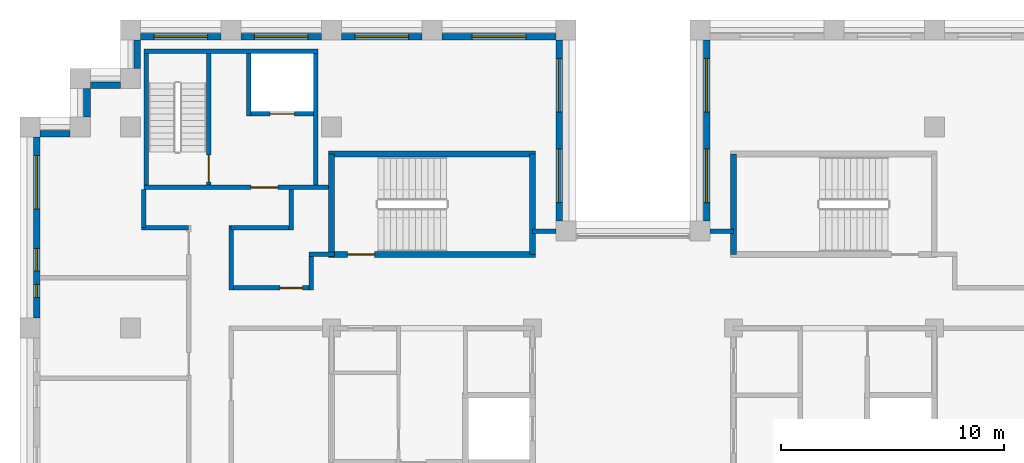
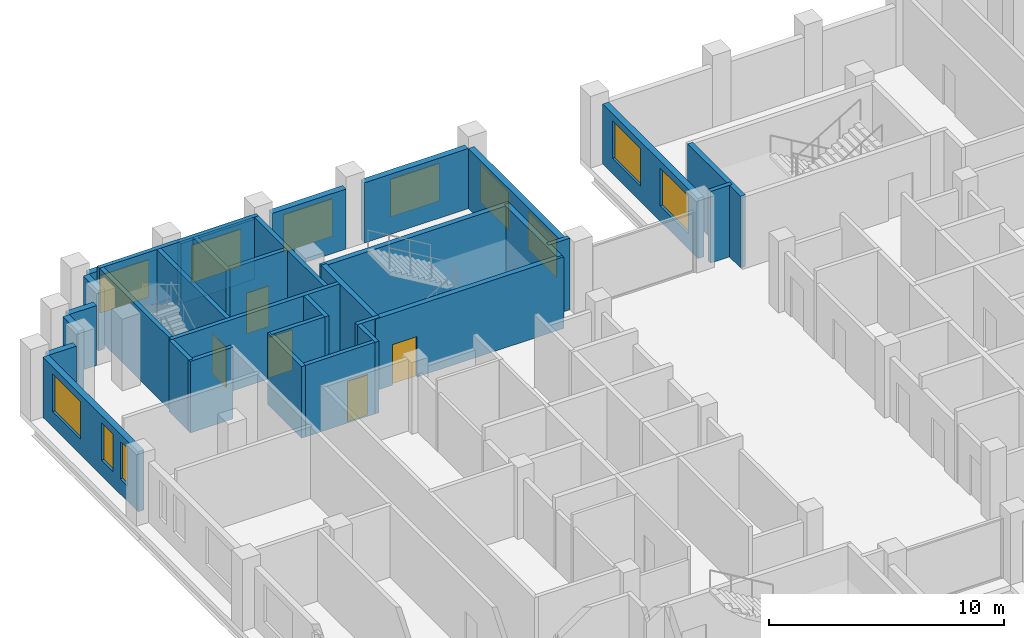
# One storey, part 10 of 13: 33 walls, 11 windows, 5 doors, 16 openings.
"""IFC4 building model written with IfcOpenShell, lengths in metres."""

from ifc_helpers import new_model, si_unit, direction, frame, frame_2d, origin, place, context, subcontext, project, spatial, rectangle, extrude, material, layer, layer_set, type_object, element, fill, save


model = new_model("IFC4")

# Units and contexts
model_context = context("Model", 3, precision=1e-05, world=origin(), true_north=direction((0.0, 1.0)))
body_context = subcontext(model_context, "Body", "Model", "MODEL_VIEW")
ifc_project = project(units=[si_unit("LENGTHUNIT", "METRE"), si_unit("AREAUNIT", "SQUARE_METRE"), si_unit("VOLUMEUNIT", "CUBIC_METRE"), si_unit("PLANEANGLEUNIT", "RADIAN"), si_unit("MASSUNIT", "GRAM", prefix="KILO")], contexts=[model_context])

# Site, building, storey
site_placement = place(None, origin())
site = spatial("IfcSite", under=ifc_project, at=site_placement, CompositionType="ELEMENT")
building_placement = place(site_placement, origin())
building = spatial("IfcBuilding", under=site, at=building_placement, Name="Corbelhall Arena Tower", CompositionType="ELEMENT")
storey_placement = place(building_placement, frame((0.0, 0.0, 270.0)))
storey = spatial("IfcBuildingStorey", under=building, at=storey_placement, Name="L58", CompositionType="ELEMENT", Elevation=270.0)

# Walls
ifc_material_1 = material(Name="Precast concrete C40/50 with granite facing", Category="masonry")
ifc_layer_1 = layer(ifc_material_1, 0.300048828125)
ifc_layer_set_1 = layer_set([ifc_layer_1], Name="EV-IW1 Infill panel 300")
wall_type_1 = type_object("IfcWallType", Name="EV-IW1 Infill panel 300", PredefinedType="SOLIDWALL", material=ifc_layer_set_1)
wall_1_placement = place(storey_placement, frame((-24.449951171875, 19.72509765625, 0.0), z_axis=(0.0, 0.0, 1.0), x_axis=(0.0, -1.0, 0.0)))
element("IfcWall", 1, at=wall_1_placement, inside=storey, type_object=wall_type_1, Name="Infill panel IW1", PredefinedType="SOLIDWALL", context=body_context, shape_type="SweptSolid", body=[
    extrude(rectangle(XDim=1.275146484375, YDim=0.300048828125, at=frame_2d((0.6376953125, 0.0))), origin(), (0.0, 0.0, 1.0), 3.1201171875),
])
wall_2_placement = place(storey_placement, frame((-25.199951171875, 17.699951171875, 0.0), z_axis=(0.0, 0.0, 1.0), x_axis=(-1.0, 0.0, 0.0)))
element("IfcWall", 2, at=wall_2_placement, inside=storey, type_object=wall_type_1, Name="Infill panel IW1", PredefinedType="SOLIDWALL", context=body_context, shape_type="SweptSolid", body=[
    extrude(rectangle(XDim=1.35009765625, YDim=0.300048828125, at=frame_2d((0.675048828125, 0.0))), origin(), (0.0, 0.0, 1.0), 3.1201171875),
])

# Wall, openings, windows
wall_3_placement = place(storey_placement, frame((-26.699951171875, 17.550048828125, 0.0), z_axis=(0.0, 0.0, 1.0), x_axis=(0.0, -1.0, 0.0)))
wall_3 = element("IfcWall", 3, at=wall_3_placement, inside=storey, type_object=wall_type_1, Name="Infill panel IW1", PredefinedType="SOLIDWALL", context=body_context, shape_type="SweptSolid", body=[
    extrude(rectangle(XDim=8.10009765625, YDim=0.300048828125, at=frame_2d((4.050048828125, 0.0))), origin(), (0.0, 0.0, 1.0), 3.1201171875),
])
opening_1_placement = place(wall_3_placement, frame((0.824951171875, 0.0, 0.800048828125)))
opening_1 = element("IfcOpeningElement", 4, at=opening_1_placement, cuts=wall_3, Name="Opening WN1", PredefinedType="OPENING", context=body_context, shape_type="SweptSolid", body=[
    extrude(rectangle(XDim=2.39990234375, YDim=1.949951171875, at=frame_2d((1.199951171875, 0.97509765625))), frame((0.0, 0.14990234375, 0.0), z_axis=(0.0, -1.0, 0.0), x_axis=(1.0, 0.0, 0.0)), (0.0, 0.0, 1.0), 0.300048828125),
])
opening_2_placement = place(wall_3_placement, frame((4.987548828125, 0.0, 0.800048828125)))
opening_2 = element("IfcOpeningElement", 5, at=opening_2_placement, cuts=wall_3, Name="Opening WN6", PredefinedType="OPENING", context=body_context, shape_type="SweptSolid", body=[
    extrude(rectangle(XDim=1.0, YDim=1.949951171875, at=frame_2d((0.5, 0.97509765625))), frame((0.0, 0.14990234375, 0.0), z_axis=(0.0, -1.0, 0.0), x_axis=(1.0, 0.0, 0.0)), (0.0, 0.0, 1.0), 0.300048828125),
])
opening_3_placement = place(wall_3_placement, frame((6.58740234375, 0.0, 0.800048828125)))
opening_3 = element("IfcOpeningElement", 6, at=opening_3_placement, cuts=wall_3, Name="Opening WN5", PredefinedType="OPENING", context=body_context, shape_type="SweptSolid", body=[
    extrude(rectangle(XDim=0.60009765625, YDim=1.949951171875, at=frame_2d((0.300048828125, 0.97509765625))), frame((0.0, 0.14990234375, 0.0), z_axis=(0.0, -1.0, 0.0), x_axis=(1.0, 0.0, 0.0)), (0.0, 0.0, 1.0), 0.300048828125),
])
ifc_material_2 = material(Name="Aluminium black anodised", Category="aluminium")
window_type_1 = type_object("IfcWindowType", Name="EV-WN1 Office window", PartitioningType="SINGLE_PANEL", PredefinedType="WINDOW", material=ifc_material_2)
window_1_placement = place(opening_1_placement, origin())
window_1 = element("IfcWindow", 7, at=window_1_placement, inside=storey, type_object=window_type_1, Name="Window WN1", OverallHeight=1.949951171875, OverallWidth=2.39990234375, PartitioningType="SINGLE_PANEL", PredefinedType="WINDOW", context=body_context, shape_type="SweptSolid", body=[
    extrude(rectangle(XDim=2.39990234375, YDim=1.949951171875, at=frame_2d((1.199951171875, 0.97509765625))), frame((0.0, 0.030029296875, 0.0), z_axis=(0.0, -1.0, 0.0), x_axis=(1.0, 0.0, 0.0)), (0.0, 0.0, 1.0), 0.06005859375),
])
fill(opening_1, window_1)
window_type_2 = type_object("IfcWindowType", Name="EV-WN5 Office window 600", PartitioningType="SINGLE_PANEL", PredefinedType="WINDOW", material=ifc_material_2)
window_2_placement = place(opening_3_placement, origin())
window_2 = element("IfcWindow", 8, at=window_2_placement, inside=storey, type_object=window_type_2, Name="Window WN5", OverallHeight=1.949951171875, OverallWidth=0.60009765625, PartitioningType="SINGLE_PANEL", PredefinedType="WINDOW", context=body_context, shape_type="SweptSolid", body=[
    extrude(rectangle(XDim=0.60009765625, YDim=1.949951171875, at=frame_2d((0.300048828125, 0.97509765625))), frame((0.0, 0.030029296875, 0.0), z_axis=(0.0, -1.0, 0.0), x_axis=(1.0, 0.0, 0.0)), (0.0, 0.0, 1.0), 0.06005859375),
])
fill(opening_3, window_2)
window_type_3 = type_object("IfcWindowType", Name="EV-WN6 Office window 1000", PartitioningType="SINGLE_PANEL", PredefinedType="WINDOW", material=ifc_material_2)
window_3_placement = place(opening_2_placement, origin())
window_3 = element("IfcWindow", 9, at=window_3_placement, inside=storey, type_object=window_type_3, Name="Window WN6", OverallHeight=1.949951171875, OverallWidth=1.0, PartitioningType="SINGLE_PANEL", PredefinedType="WINDOW", context=body_context, shape_type="SweptSolid", body=[
    extrude(rectangle(XDim=1.0, YDim=1.949951171875, at=frame_2d((0.5, 0.97509765625))), frame((0.0, 0.030029296875, 0.0), z_axis=(0.0, -1.0, 0.0), x_axis=(1.0, 0.0, 0.0)), (0.0, 0.0, 1.0), 0.06005859375),
])
fill(opening_2, window_3)

wall_4_placement = place(storey_placement, frame((3.300048828125, 21.89990234375, 0.0), z_axis=(0.0, 0.0, 1.0), x_axis=(0.0, -1.0, 0.0)))
wall_4 = element("IfcWall", 10, at=wall_4_placement, inside=storey, type_object=wall_type_1, Name="Infill panel IW1", PredefinedType="SOLIDWALL", context=body_context, shape_type="SweptSolid", body=[
    extrude(rectangle(XDim=8.099853515625, YDim=0.300048828125, at=frame_2d((4.0498046875, 0.0))), origin(), (0.0, 0.0, 1.0), 3.1201171875),
])
opening_4_placement = place(wall_4_placement, frame((0.824951171875, 0.0, 0.800048828125)))
opening_4 = element("IfcOpeningElement", 11, at=opening_4_placement, cuts=wall_4, Name="Opening WN1", PredefinedType="OPENING", context=body_context, shape_type="SweptSolid", body=[
    extrude(rectangle(XDim=2.39990234375, YDim=1.949951171875, at=frame_2d((1.199951171875, 0.97509765625))), frame((0.0, 0.14990234375, 0.0), z_axis=(0.0, -1.0, 0.0), x_axis=(1.0, 0.0, 0.0)), (0.0, 0.0, 1.0), 0.300048828125),
])
opening_5_placement = place(wall_4_placement, frame((4.875, 0.0, 0.800048828125)))
opening_5 = element("IfcOpeningElement", 12, at=opening_5_placement, cuts=wall_4, Name="Opening WN1", PredefinedType="OPENING", context=body_context, shape_type="SweptSolid", body=[
    extrude(rectangle(XDim=2.39990234375, YDim=1.949951171875, at=frame_2d((1.199951171875, 0.97509765625))), frame((0.0, 0.14990234375, 0.0), z_axis=(0.0, -1.0, 0.0), x_axis=(1.0, 0.0, 0.0)), (0.0, 0.0, 1.0), 0.300048828125),
])
window_4_placement = place(opening_4_placement, origin())
window_4 = element("IfcWindow", 13, at=window_4_placement, inside=storey, type_object=window_type_1, Name="Window WN1", OverallHeight=1.949951171875, OverallWidth=2.39990234375, PartitioningType="SINGLE_PANEL", PredefinedType="WINDOW", context=body_context, shape_type="SweptSolid", body=[
    extrude(rectangle(XDim=2.39990234375, YDim=1.949951171875, at=frame_2d((1.199951171875, 0.97509765625))), frame((0.0, 0.030029296875, 0.0), z_axis=(0.0, -1.0, 0.0), x_axis=(1.0, 0.0, 0.0)), (0.0, 0.0, 1.0), 0.06005859375),
])
fill(opening_4, window_4)
window_5_placement = place(opening_5_placement, origin())
window_5 = element("IfcWindow", 14, at=window_5_placement, inside=storey, type_object=window_type_1, Name="Window WN1", OverallHeight=1.949951171875, OverallWidth=2.39990234375, PartitioningType="SINGLE_PANEL", PredefinedType="WINDOW", context=body_context, shape_type="SweptSolid", body=[
    extrude(rectangle(XDim=2.39990234375, YDim=1.949951171875, at=frame_2d((1.199951171875, 0.97509765625))), frame((0.0, 0.030029296875, 0.0), z_axis=(0.0, -1.0, 0.0), x_axis=(1.0, 0.0, 0.0)), (0.0, 0.0, 1.0), 0.06005859375),
])
fill(opening_5, window_5)

wall_5_placement = place(storey_placement, frame((-3.300048828125, 13.800048828125, 0.0), z_axis=(0.0, 0.0, 1.0), x_axis=(0.0, 1.0, 0.0)))
wall_5 = element("IfcWall", 15, at=wall_5_placement, inside=storey, type_object=wall_type_1, Name="Infill panel IW1", PredefinedType="SOLIDWALL", context=body_context, shape_type="SweptSolid", body=[
    extrude(rectangle(XDim=8.099853515625, YDim=0.300048828125, at=frame_2d((4.0498046875, 0.0))), origin(), (0.0, 0.0, 1.0), 3.1201171875),
])
opening_6_placement = place(wall_5_placement, frame((0.824951171875, 0.0, 0.800048828125)))
opening_6 = element("IfcOpeningElement", 16, at=opening_6_placement, cuts=wall_5, Name="Opening WN1", PredefinedType="OPENING", context=body_context, shape_type="SweptSolid", body=[
    extrude(rectangle(XDim=2.39990234375, YDim=1.949951171875, at=frame_2d((1.199951171875, 0.97509765625))), frame((0.0, 0.14990234375, 0.0), z_axis=(0.0, -1.0, 0.0), x_axis=(1.0, 0.0, 0.0)), (0.0, 0.0, 1.0), 0.300048828125),
])
opening_7_placement = place(wall_5_placement, frame((4.875, 0.0, 0.800048828125)))
opening_7 = element("IfcOpeningElement", 17, at=opening_7_placement, cuts=wall_5, Name="Opening WN1", PredefinedType="OPENING", context=body_context, shape_type="SweptSolid", body=[
    extrude(rectangle(XDim=2.39990234375, YDim=1.949951171875, at=frame_2d((1.199951171875, 0.97509765625))), frame((0.0, 0.14990234375, 0.0), z_axis=(0.0, -1.0, 0.0), x_axis=(1.0, 0.0, 0.0)), (0.0, 0.0, 1.0), 0.300048828125),
])
window_6_placement = place(opening_6_placement, origin())
window_6 = element("IfcWindow", 18, at=window_6_placement, inside=storey, type_object=window_type_1, Name="Window WN1", OverallHeight=1.949951171875, OverallWidth=2.39990234375, PartitioningType="SINGLE_PANEL", PredefinedType="WINDOW", context=body_context, shape_type="SweptSolid", body=[
    extrude(rectangle(XDim=2.39990234375, YDim=1.949951171875, at=frame_2d((1.199951171875, 0.97509765625))), frame((0.0, 0.030029296875, 0.0), z_axis=(0.0, -1.0, 0.0), x_axis=(1.0, 0.0, 0.0)), (0.0, 0.0, 1.0), 0.06005859375),
])
fill(opening_6, window_6)
window_7_placement = place(opening_7_placement, origin())
window_7 = element("IfcWindow", 19, at=window_7_placement, inside=storey, type_object=window_type_1, Name="Window WN1", OverallHeight=1.949951171875, OverallWidth=2.39990234375, PartitioningType="SINGLE_PANEL", PredefinedType="WINDOW", context=body_context, shape_type="SweptSolid", body=[
    extrude(rectangle(XDim=2.39990234375, YDim=1.949951171875, at=frame_2d((1.199951171875, 0.97509765625))), frame((0.0, 0.030029296875, 0.0), z_axis=(0.0, -1.0, 0.0), x_axis=(1.0, 0.0, 0.0)), (0.0, 0.0, 1.0), 0.06005859375),
])
fill(opening_7, window_7)

# Wall, opening, window
wall_6_placement = place(storey_placement, frame((-3.449951171875, 22.050048828125, 0.0), z_axis=(0.0, 0.0, 1.0), x_axis=(-1.0, 0.0, 0.0)))
wall_6 = element("IfcWall", 20, at=wall_6_placement, inside=storey, type_object=wall_type_1, Name="Infill panel IW1", PredefinedType="SOLIDWALL", context=body_context, shape_type="SweptSolid", body=[
    extrude(rectangle(XDim=5.10009765625, YDim=0.300048828125, at=frame_2d((2.550048828125, 0.0))), origin(), (0.0, 0.0, 1.0), 3.1201171875),
])
opening_8_placement = place(wall_6_placement, frame((1.35009765625, 0.0, 0.800048828125)))
opening_8 = element("IfcOpeningElement", 21, at=opening_8_placement, cuts=wall_6, Name="Opening WN1", PredefinedType="OPENING", context=body_context, shape_type="SweptSolid", body=[
    extrude(rectangle(XDim=2.39990234375, YDim=1.949951171875, at=frame_2d((1.199951171875, 0.97509765625))), frame((0.0, 0.14990234375, 0.0), z_axis=(0.0, -1.0, 0.0), x_axis=(1.0, 0.0, 0.0)), (0.0, 0.0, 1.0), 0.300048828125),
])
window_8_placement = place(opening_8_placement, origin())
window_8 = element("IfcWindow", 22, at=window_8_placement, inside=storey, type_object=window_type_1, Name="Window WN1", OverallHeight=1.949951171875, OverallWidth=2.39990234375, PartitioningType="SINGLE_PANEL", PredefinedType="WINDOW", context=body_context, shape_type="SweptSolid", body=[
    extrude(rectangle(XDim=2.39990234375, YDim=1.949951171875, at=frame_2d((1.199951171875, 0.97509765625))), frame((0.0, 0.030029296875, 0.0), z_axis=(0.0, -1.0, 0.0), x_axis=(1.0, 0.0, 0.0)), (0.0, 0.0, 1.0), 0.06005859375),
])
fill(opening_8, window_8)

wall_7_placement = place(storey_placement, frame((-9.449951171875, 22.050048828125, 0.0), z_axis=(0.0, 0.0, 1.0), x_axis=(-1.0, 0.0, 0.0)))
wall_7 = element("IfcWall", 23, at=wall_7_placement, inside=storey, type_object=wall_type_1, Name="Infill panel IW1", PredefinedType="SOLIDWALL", context=body_context, shape_type="SweptSolid", body=[
    extrude(rectangle(XDim=3.60009765625, YDim=0.300048828125, at=frame_2d((1.800048828125, 0.0))), origin(), (0.0, 0.0, 1.0), 3.1201171875),
])
opening_9_placement = place(wall_7_placement, frame((0.60009765625, 0.0, 0.800048828125)))
opening_9 = element("IfcOpeningElement", 24, at=opening_9_placement, cuts=wall_7, Name="Opening WN1", PredefinedType="OPENING", context=body_context, shape_type="SweptSolid", body=[
    extrude(rectangle(XDim=2.39990234375, YDim=1.949951171875, at=frame_2d((1.199951171875, 0.97509765625))), frame((0.0, 0.14990234375, 0.0), z_axis=(0.0, -1.0, 0.0), x_axis=(1.0, 0.0, 0.0)), (0.0, 0.0, 1.0), 0.300048828125),
])
window_9_placement = place(opening_9_placement, origin())
window_9 = element("IfcWindow", 25, at=window_9_placement, inside=storey, type_object=window_type_1, Name="Window WN1", OverallHeight=1.949951171875, OverallWidth=2.39990234375, PartitioningType="SINGLE_PANEL", PredefinedType="WINDOW", context=body_context, shape_type="SweptSolid", body=[
    extrude(rectangle(XDim=2.39990234375, YDim=1.949951171875, at=frame_2d((1.199951171875, 0.97509765625))), frame((0.0, 0.030029296875, 0.0), z_axis=(0.0, -1.0, 0.0), x_axis=(1.0, 0.0, 0.0)), (0.0, 0.0, 1.0), 0.06005859375),
])
fill(opening_9, window_9)

wall_8_placement = place(storey_placement, frame((-13.949951171875, 22.050048828125, 0.0), z_axis=(0.0, 0.0, 1.0), x_axis=(-1.0, 0.0, 0.0)))
wall_8 = element("IfcWall", 26, at=wall_8_placement, inside=storey, type_object=wall_type_1, Name="Infill panel IW1", PredefinedType="SOLIDWALL", context=body_context, shape_type="SweptSolid", body=[
    extrude(rectangle(XDim=3.60009765625, YDim=0.300048828125, at=frame_2d((1.800048828125, 0.0))), origin(), (0.0, 0.0, 1.0), 3.1201171875),
])
opening_10_placement = place(wall_8_placement, frame((0.60009765625, 0.0, 0.800048828125)))
opening_10 = element("IfcOpeningElement", 27, at=opening_10_placement, cuts=wall_8, Name="Opening WN1", PredefinedType="OPENING", context=body_context, shape_type="SweptSolid", body=[
    extrude(rectangle(XDim=2.39990234375, YDim=1.949951171875, at=frame_2d((1.199951171875, 0.97509765625))), frame((0.0, 0.14990234375, 0.0), z_axis=(0.0, -1.0, 0.0), x_axis=(1.0, 0.0, 0.0)), (0.0, 0.0, 1.0), 0.300048828125),
])
window_10_placement = place(opening_10_placement, origin())
window_10 = element("IfcWindow", 28, at=window_10_placement, inside=storey, type_object=window_type_1, Name="Window WN1", OverallHeight=1.949951171875, OverallWidth=2.39990234375, PartitioningType="SINGLE_PANEL", PredefinedType="WINDOW", context=body_context, shape_type="SweptSolid", body=[
    extrude(rectangle(XDim=2.39990234375, YDim=1.949951171875, at=frame_2d((1.199951171875, 0.97509765625))), frame((0.0, 0.030029296875, 0.0), z_axis=(0.0, -1.0, 0.0), x_axis=(1.0, 0.0, 0.0)), (0.0, 0.0, 1.0), 0.06005859375),
])
fill(opening_10, window_10)

wall_9_placement = place(storey_placement, frame((-18.449951171875, 22.050048828125, 0.0), z_axis=(0.0, 0.0, 1.0), x_axis=(-1.0, 0.0, 0.0)))
wall_9 = element("IfcWall", 29, at=wall_9_placement, inside=storey, type_object=wall_type_1, Name="Infill panel IW1", PredefinedType="SOLIDWALL", context=body_context, shape_type="SweptSolid", body=[
    extrude(rectangle(XDim=3.60009765625, YDim=0.300048828125, at=frame_2d((1.800048828125, 0.0))), origin(), (0.0, 0.0, 1.0), 3.1201171875),
])
opening_11_placement = place(wall_9_placement, frame((0.60009765625, 0.0, 0.800048828125)))
opening_11 = element("IfcOpeningElement", 30, at=opening_11_placement, cuts=wall_9, Name="Opening WN1", PredefinedType="OPENING", context=body_context, shape_type="SweptSolid", body=[
    extrude(rectangle(XDim=2.39990234375, YDim=1.949951171875, at=frame_2d((1.199951171875, 0.97509765625))), frame((0.0, 0.14990234375, 0.0), z_axis=(0.0, -1.0, 0.0), x_axis=(1.0, 0.0, 0.0)), (0.0, 0.0, 1.0), 0.300048828125),
])
window_11_placement = place(opening_11_placement, origin())
window_11 = element("IfcWindow", 31, at=window_11_placement, inside=storey, type_object=window_type_1, Name="Window WN1", OverallHeight=1.949951171875, OverallWidth=2.39990234375, PartitioningType="SINGLE_PANEL", PredefinedType="WINDOW", context=body_context, shape_type="SweptSolid", body=[
    extrude(rectangle(XDim=2.39990234375, YDim=1.949951171875, at=frame_2d((1.199951171875, 0.97509765625))), frame((0.0, 0.030029296875, 0.0), z_axis=(0.0, -1.0, 0.0), x_axis=(1.0, 0.0, 0.0)), (0.0, 0.0, 1.0), 0.06005859375),
])
fill(opening_11, window_11)

# Walls
wall_10_placement = place(storey_placement, frame((-22.199951171875, 21.89990234375, 0.0), z_axis=(0.0, 0.0, 1.0), x_axis=(0.0, -1.0, 0.0)))
element("IfcWall", 32, at=wall_10_placement, inside=storey, type_object=wall_type_1, Name="Infill panel IW1", PredefinedType="SOLIDWALL", context=body_context, shape_type="SweptSolid", body=[
    extrude(rectangle(XDim=1.27490234375, YDim=0.300048828125, at=frame_2d((0.637451171875, 0.0))), origin(), (0.0, 0.0, 1.0), 3.1201171875),
])
wall_11_placement = place(storey_placement, frame((-22.949951171875, 19.875, 0.0), z_axis=(0.0, 0.0, 1.0), x_axis=(-1.0, 0.0, 0.0)))
element("IfcWall", 33, at=wall_11_placement, inside=storey, type_object=wall_type_1, Name="Infill panel IW1", PredefinedType="SOLIDWALL", context=body_context, shape_type="SweptSolid", body=[
    extrude(rectangle(XDim=1.35009765625, YDim=0.300048828125, at=frame_2d((0.675048828125, 0.0))), origin(), (0.0, 0.0, 1.0), 3.1201171875),
])
ifc_material_3 = material(Name="Gypsum board on steel stud, acoustic", Category="steel")
ifc_layer_2 = layer(ifc_material_3, 0.199951171875)
ifc_layer_set_2 = layer_set([ifc_layer_2], Name="IN-W-DM200")
wall_type_2 = type_object("IfcWallType", Name="IN-W-DM200", PredefinedType="PARTITIONING", material=ifc_layer_set_2)
wall_12_placement = place(storey_placement, frame((-21.89990234375, 13.5, 0.0), z_axis=(0.0, 0.0, 1.0), x_axis=(0.0, 1.0, 0.0)))
element("IfcWall", 34, at=wall_12_placement, inside=storey, type_object=wall_type_2, Name="Partition 006", PredefinedType="PARTITIONING", context=body_context, shape_type="SweptSolid", body=[
    extrude(rectangle(XDim=1.699951171875, YDim=0.199951171875, at=frame_2d((0.85009765625, 0.0))), origin(), (0.0, 0.0, 1.0), 3.719970703125),
])
wall_13_placement = place(storey_placement, frame((-19.89990234375, 13.5, 0.0), z_axis=(0.0, 0.0, 1.0), x_axis=(-1.0, 0.0, 0.0)))
element("IfcWall", 35, at=wall_13_placement, inside=storey, type_object=wall_type_2, Name="Partition 008", PredefinedType="PARTITIONING", context=body_context, shape_type="SweptSolid", body=[
    extrude(rectangle(XDim=2.10009765625, YDim=0.199951171875, at=frame_2d((1.050048828125, 0.0))), origin(), (0.0, 0.0, 1.0), 3.719970703125),
])

# Wall, opening, door
wall_14_placement = place(storey_placement, frame((-18.0, 10.800048828125, 0.0), z_axis=(0.0, 0.0, 1.0), x_axis=(1.0, 0.0, 0.0)))
wall_14 = element("IfcWall", 36, at=wall_14_placement, inside=storey, type_object=wall_type_2, Name="Partition 013", PredefinedType="PARTITIONING", context=body_context, shape_type="SweptSolid", body=[
    extrude(rectangle(XDim=3.60009765625, YDim=0.199951171875, at=frame_2d((1.800048828125, 0.0))), origin(), (0.0, 0.0, 1.0), 3.719970703125),
])
opening_12_placement = place(wall_14_placement, frame((2.199951171875, 0.0, 0.0)))
opening_12 = element("IfcOpeningElement", 37, at=opening_12_placement, cuts=wall_14, Name="Opening 18026", PredefinedType="OPENING", context=body_context, shape_type="SweptSolid", body=[
    extrude(rectangle(XDim=1.0, YDim=2.10009765625, at=frame_2d((0.5, 1.050048828125))), frame((0.0, 0.10009765625, 0.0), z_axis=(0.0, -1.0, 0.0), x_axis=(1.0, 0.0, 0.0)), (0.0, 0.0, 1.0), 0.199951171875),
])
ifc_material_4 = material(Name="Steel door set", Category="steel")
door_type_1 = type_object("IfcDoorType", Name="IN-D-SW100", OperationType="NOTDEFINED", PredefinedType="DOOR", material=ifc_material_4)
door_1_placement = place(opening_12_placement, origin())
door_1 = element("IfcDoor", 38, at=door_1_placement, inside=storey, type_object=door_type_1, Name="Door 026", OperationType="SINGLE_SWING_LEFT", OverallHeight=2.10009765625, OverallWidth=1.0, PredefinedType="DOOR", context=body_context, shape_type="SweptSolid", body=[
    extrude(rectangle(XDim=1.0, YDim=2.10009765625, at=frame_2d((0.5, 1.050048828125))), frame((0.0, 0.02490234375, 0.0), z_axis=(0.0, -1.0, 0.0), x_axis=(1.0, 0.0, 0.0)), (0.0, 0.0, 1.0), 0.050048828125),
])
fill(opening_12, door_1)

# Walls
wall_15_placement = place(storey_placement, frame((-18.0, 13.60009765625, 0.0), z_axis=(0.0, 0.0, 1.0), x_axis=(0.0, -1.0, 0.0)))
element("IfcWall", 39, at=wall_15_placement, inside=storey, type_object=wall_type_2, Name="Partition 014", PredefinedType="PARTITIONING", context=body_context, shape_type="SweptSolid", body=[
    extrude(rectangle(XDim=2.900146484375, YDim=0.199951171875, at=frame_2d((1.4501953125, 0.0))), origin(), (0.0, 0.0, 1.0), 3.719970703125),
])
wall_16_placement = place(storey_placement, frame((-15.300048828125, 13.5, 0.0), z_axis=(0.0, 0.0, 1.0), x_axis=(-1.0, 0.0, 0.0)))
element("IfcWall", 40, at=wall_16_placement, inside=storey, type_object=wall_type_2, Name="Partition 015", PredefinedType="PARTITIONING", context=body_context, shape_type="SweptSolid", body=[
    extrude(rectangle(XDim=2.699951171875, YDim=0.199951171875, at=frame_2d((1.35009765625, 0.0))), origin(), (0.0, 0.0, 1.0), 3.719970703125),
])
wall_17_placement = place(storey_placement, frame((-15.300048828125, 15.199951171875, 0.0), z_axis=(0.0, 0.0, 1.0), x_axis=(0.0, -1.0, 0.0)))
element("IfcWall", 41, at=wall_17_placement, inside=storey, type_object=wall_type_2, Name="Partition 016", PredefinedType="PARTITIONING", context=body_context, shape_type="SweptSolid", body=[
    extrude(rectangle(XDim=1.800048828125, YDim=0.199951171875, at=frame_2d((0.89990234375, 0.0))), origin(), (0.0, 0.0, 1.0), 3.719970703125),
])
wall_18_placement = place(storey_placement, frame((-14.5, 12.300048828125, 0.0), z_axis=(0.0, 0.0, 1.0), x_axis=(1.0, 0.0, 0.0)))
element("IfcWall", 42, at=wall_18_placement, inside=storey, type_object=wall_type_2, Name="Partition 017", PredefinedType="PARTITIONING", context=body_context, shape_type="SweptSolid", body=[
    extrude(rectangle(XDim=1.125, YDim=0.199951171875, at=frame_2d((0.5625, 0.0))), origin(), (0.0, 0.0, 1.0), 3.719970703125),
])
wall_19_placement = place(storey_placement, frame((-14.39990234375, 10.699951171875, 0.0), z_axis=(0.0, 0.0, 1.0), x_axis=(0.0, 1.0, 0.0)))
element("IfcWall", 43, at=wall_19_placement, inside=storey, type_object=wall_type_2, Name="Partition 021", PredefinedType="PARTITIONING", context=body_context, shape_type="SweptSolid", body=[
    extrude(rectangle(XDim=1.60009765625, YDim=0.199951171875, at=frame_2d((0.800048828125, 0.0))), origin(), (0.0, 0.0, 1.0), 3.719970703125),
])
for number, where, z_axis, x_axis, name in (
    (44, (-4.5, 13.35009765625, 0.0), (0.0, 0.0, 1.0), (1.0, 0.0, 0.0), "Partition 023"),
    (45, (3.449951171875, 13.35009765625, 0.0), (0.0, 0.0, 1.0), (1.0, 0.0, 0.0), "Partition 025"),
):
    element("IfcWall", number, at=place(storey_placement, frame(where, z_axis=z_axis, x_axis=x_axis)), inside=storey, type_object=wall_type_2, Name=name, PredefinedType="PARTITIONING", context=body_context, shape_type="SweptSolid", body=[
        extrude(rectangle(XDim=1.050048828125, YDim=0.199951171875, at=frame_2d((0.52490234375, 0.0))), origin(), (0.0, 0.0, 1.0), 3.719970703125),
    ])

# Wall, opening, door
ifc_material_5 = material(Name="Concrete C40/50", Category="concrete")
ifc_layer_3 = layer(ifc_material_5, 0.199951171875)
ifc_layer_set_3 = layer_set([ifc_layer_3], Name="IN-W-EAR200")
wall_type_3 = type_object("IfcWallType", Name="IN-W-EAR200", PredefinedType="SOLIDWALL", material=ifc_layer_set_3)
wall_20_placement = place(storey_placement, frame((-21.89990234375, 15.300048828125, 0.0), z_axis=(0.0, 0.0, 1.0), x_axis=(1.0, 0.0, 0.0)))
wall_20 = element("IfcWall", 46, at=wall_20_placement, inside=storey, type_object=wall_type_3, Name="Fire service turret wall south", PredefinedType="SOLIDWALL", context=body_context, shape_type="SweptSolid", body=[
    extrude(rectangle(XDim=8.27490234375, YDim=0.199951171875, at=frame_2d((4.137451171875, 0.0))), origin(), (0.0, 0.0, 1.0), 3.719970703125),
])
opening_13_placement = place(wall_20_placement, frame((4.800048828125, 0.0, 0.0)))
opening_13 = element("IfcOpeningElement", 47, at=opening_13_placement, cuts=wall_20, Name="Opening E182", PredefinedType="OPENING", context=body_context, shape_type="SweptSolid", body=[
    extrude(rectangle(XDim=1.199951171875, YDim=2.10009765625, at=frame_2d((0.60009765625, 1.050048828125))), frame((0.0, 0.10009765625, 0.0), z_axis=(0.0, -1.0, 0.0), x_axis=(1.0, 0.0, 0.0)), (0.0, 0.0, 1.0), 0.199951171875),
])
door_type_2 = type_object("IfcDoorType", Name="IN-D-ST120", OperationType="NOTDEFINED", PredefinedType="DOOR", material=ifc_material_4)
door_2_placement = place(opening_13_placement, origin())
door_2 = element("IfcDoor", 48, at=door_2_placement, inside=storey, type_object=door_type_2, Name="Door from fire service lift lobby to circulation", OperationType="SINGLE_SWING_RIGHT", OverallHeight=2.10009765625, OverallWidth=1.199951171875, PredefinedType="DOOR", context=body_context, shape_type="SweptSolid", body=[
    extrude(rectangle(XDim=1.199951171875, YDim=2.10009765625, at=frame_2d((0.60009765625, 1.050048828125))), frame((0.0, 0.02490234375, 0.0), z_axis=(0.0, -1.0, 0.0), x_axis=(1.0, 0.0, 0.0)), (0.0, 0.0, 1.0), 0.050048828125),
])
fill(opening_13, door_2)

# Walls
wall_21_placement = place(storey_placement, frame((-21.89990234375, 21.39990234375, 0.0), z_axis=(0.0, 0.0, 1.0), x_axis=(1.0, 0.0, 0.0)))
element("IfcWall", 49, at=wall_21_placement, inside=storey, type_object=wall_type_3, Name="Fire service turret wall north", PredefinedType="SOLIDWALL", context=body_context, shape_type="SweptSolid", body=[
    extrude(rectangle(XDim=7.7998046875, YDim=0.199951171875, at=frame_2d((3.89990234375, 0.0))), origin(), (0.0, 0.0, 1.0), 3.719970703125),
])
for number, where, z_axis, x_axis, name in (
    (50, (-21.800048828125, 15.39990234375, 0.0), (0.0, 0.0, 1.0), (0.0, 1.0, 0.0), "Fire service turret wall west"),
    (51, (-14.199951171875, 15.39990234375, 0.0), (0.0, 0.0, 1.0), (0.0, 1.0, 0.0), "Fire service turret wall east"),
):
    element("IfcWall", number, at=place(storey_placement, frame(where, z_axis=z_axis, x_axis=x_axis)), inside=storey, type_object=wall_type_3, Name=name, PredefinedType="SOLIDWALL", context=body_context, shape_type="SweptSolid", body=[
        extrude(rectangle(XDim=5.900146484375, YDim=0.199951171875, at=frame_2d((2.9501953125, 0.0))), origin(), (0.0, 0.0, 1.0), 3.719970703125),
    ])

# Wall, opening, door
wall_22_placement = place(storey_placement, frame((-18.989990234375, 15.39990234375, 0.0), z_axis=(0.0, 0.0, 1.0), x_axis=(0.0, 1.0, 0.0)))
wall_22 = element("IfcWall", 52, at=wall_22_placement, inside=storey, type_object=wall_type_3, Name="Fire service turret wall stair", PredefinedType="SOLIDWALL", context=body_context, shape_type="SweptSolid", body=[
    extrude(rectangle(XDim=5.900146484375, YDim=0.199951171875, at=frame_2d((2.9501953125, 0.0))), origin(), (0.0, 0.0, 1.0), 3.719970703125),
])
opening_14_placement = place(wall_22_placement, frame((0.14990234375, 0.0, 0.0)))
opening_14 = element("IfcOpeningElement", 53, at=opening_14_placement, cuts=wall_22, Name="Opening E181", PredefinedType="OPENING", context=body_context, shape_type="SweptSolid", body=[
    extrude(rectangle(XDim=1.199951171875, YDim=2.10009765625, at=frame_2d((0.60009765625, 1.050048828125))), frame((0.0, 0.10009765625, 0.0), z_axis=(0.0, -1.0, 0.0), x_axis=(1.0, 0.0, 0.0)), (0.0, 0.0, 1.0), 0.199951171875),
])
door_3_placement = place(opening_14_placement, origin())
door_3 = element("IfcDoor", 54, at=door_3_placement, inside=storey, type_object=door_type_2, Name="Stair door to fire service lobby", OperationType="SINGLE_SWING_LEFT", OverallHeight=2.10009765625, OverallWidth=1.199951171875, PredefinedType="DOOR", context=body_context, shape_type="SweptSolid", body=[
    extrude(rectangle(XDim=1.199951171875, YDim=2.10009765625, at=frame_2d((0.60009765625, 1.050048828125))), frame((0.0, 0.02490234375, 0.0), z_axis=(0.0, -1.0, 0.0), x_axis=(1.0, 0.0, 0.0)), (0.0, 0.0, 1.0), 0.050048828125),
])
fill(opening_14, door_3)

# Wall
wall_23_placement = place(storey_placement, frame((-17.199951171875, 18.5, 0.0), z_axis=(0.0, 0.0, 1.0), x_axis=(0.0, 1.0, 0.0)))
element("IfcWall", 55, at=wall_23_placement, inside=storey, type_object=wall_type_3, Name="Fire service turret wall hoistway west", PredefinedType="SOLIDWALL", context=body_context, shape_type="SweptSolid", body=[
    extrude(rectangle(XDim=2.800048828125, YDim=0.199951171875, at=frame_2d((1.39990234375, 0.0))), origin(), (0.0, 0.0, 1.0), 3.719970703125),
])

# Wall, opening, door
wall_24_placement = place(storey_placement, frame((-17.10009765625, 18.60009765625, 0.0), z_axis=(0.0, 0.0, 1.0), x_axis=(1.0, 0.0, 0.0)))
wall_24 = element("IfcWall", 56, at=wall_24_placement, inside=storey, type_object=wall_type_3, Name="Fire service turret wall hoistway south", PredefinedType="SOLIDWALL", context=body_context, shape_type="SweptSolid", body=[
    extrude(rectangle(XDim=2.800048828125, YDim=0.199951171875, at=frame_2d((1.39990234375, 0.0))), origin(), (0.0, 0.0, 1.0), 3.719970703125),
])
opening_15_placement = place(wall_24_placement, frame((0.85009765625, 0.0, 0.0)))
opening_15 = element("IfcOpeningElement", 57, at=opening_15_placement, cuts=wall_24, Name="Opening LD", PredefinedType="OPENING", context=body_context, shape_type="SweptSolid", body=[
    extrude(rectangle(XDim=1.10009765625, YDim=2.10009765625, at=frame_2d((0.550048828125, 1.050048828125))), frame((0.0, 0.10009765625, 0.0), z_axis=(0.0, -1.0, 0.0), x_axis=(1.0, 0.0, 0.0)), (0.0, 0.0, 1.0), 0.199951171875),
])
door_type_3 = type_object("IfcDoorType", Name="IN-D-LD110", OperationType="NOTDEFINED", PredefinedType="DOOR", material=ifc_material_4)
door_4_placement = place(opening_15_placement, origin())
door_4 = element("IfcDoor", 58, at=door_4_placement, inside=storey, type_object=door_type_3, Name="Landing door FS1", OperationType="SLIDING_TO_LEFT", OverallHeight=2.10009765625, OverallWidth=1.10009765625, PredefinedType="DOOR", context=body_context, shape_type="SweptSolid", body=[
    extrude(rectangle(XDim=1.10009765625, YDim=2.10009765625, at=frame_2d((0.550048828125, 1.050048828125))), frame((0.0, 0.02490234375, 0.0), z_axis=(0.0, -1.0, 0.0), x_axis=(1.0, 0.0, 0.0)), (0.0, 0.0, 1.0), 0.050048828125),
])
fill(opening_15, door_4)

ifc_layer_4 = layer(ifc_material_5, 0.25)
ifc_layer_set_4 = layer_set([ifc_layer_4], Name="IN-W-ST250")
wall_type_4 = type_object("IfcWallType", Name="IN-W-ST250", PredefinedType="SOLIDWALL", material=ifc_layer_set_4)
wall_25_placement = place(storey_placement, frame((-13.625, 12.300048828125, 0.0), z_axis=(0.0, 0.0, 1.0), x_axis=(1.0, 0.0, 0.0)))
wall_25 = element("IfcWall", 59, at=wall_25_placement, inside=storey, type_object=wall_type_4, Name="Shaft wall 086", PredefinedType="SOLIDWALL", context=body_context, shape_type="SweptSolid", body=[
    extrude(rectangle(XDim=9.25, YDim=0.25, at=frame_2d((4.625, 0.0))), origin(), (0.0, 0.0, 1.0), 3.719970703125),
])
opening_16_placement = place(wall_25_placement, frame((0.85009765625, 0.0, 0.0)))
opening_16 = element("IfcOpeningElement", 60, at=opening_16_placement, cuts=wall_25, Name="Opening 18018", PredefinedType="OPENING", context=body_context, shape_type="SweptSolid", body=[
    extrude(rectangle(XDim=1.199951171875, YDim=2.10009765625, at=frame_2d((0.60009765625, 1.050048828125))), frame((0.0, 0.125, 0.0), z_axis=(0.0, -1.0, 0.0), x_axis=(1.0, 0.0, 0.0)), (0.0, 0.0, 1.0), 0.25),
])
door_5_placement = place(opening_16_placement, origin())
door_5 = element("IfcDoor", 61, at=door_5_placement, inside=storey, type_object=door_type_2, Name="Door 018", OperationType="SINGLE_SWING_LEFT", OverallHeight=2.10009765625, OverallWidth=1.199951171875, PredefinedType="DOOR", context=body_context, shape_type="SweptSolid", body=[
    extrude(rectangle(XDim=1.199951171875, YDim=2.10009765625, at=frame_2d((0.60009765625, 1.050048828125))), frame((0.0, 0.02490234375, 0.0), z_axis=(0.0, -1.0, 0.0), x_axis=(1.0, 0.0, 0.0)), (0.0, 0.0, 1.0), 0.050048828125),
])
fill(opening_16, door_5)

# Walls
wall_26_placement = place(storey_placement, frame((-13.625, 16.800048828125, 0.0), z_axis=(0.0, 0.0, 1.0), x_axis=(1.0, 0.0, 0.0)))
element("IfcWall", 62, at=wall_26_placement, inside=storey, type_object=wall_type_4, Name="Shaft wall 087", PredefinedType="SOLIDWALL", context=body_context, shape_type="SweptSolid", body=[
    extrude(rectangle(XDim=9.25, YDim=0.25, at=frame_2d((4.625, 0.0))), origin(), (0.0, 0.0, 1.0), 3.719970703125),
])
for number, where, z_axis, x_axis, name in (
    (63, (-13.5, 12.300048828125, 0.0), (0.0, 0.0, 1.0), (0.0, 1.0, 0.0), "Shaft wall 089"),
    (64, (-4.5, 16.800048828125, 0.0), (0.0, 0.0, 1.0), (0.0, -1.0, 0.0), "Shaft wall 092"),
    (65, (4.5, 12.300048828125, 0.0), (0.0, 0.0, 1.0), (0.0, 1.0, 0.0), "Shaft wall 097"),
):
    element("IfcWall", number, at=place(storey_placement, frame(where, z_axis=z_axis, x_axis=x_axis)), inside=storey, type_object=wall_type_4, Name=name, PredefinedType="SOLIDWALL", context=body_context, shape_type="SweptSolid", body=[
        extrude(rectangle(XDim=4.5, YDim=0.25, at=frame_2d((2.25, 0.0))), origin(), (0.0, 0.0, 1.0), 3.719970703125),
    ])

save(model, "model.ifc")
